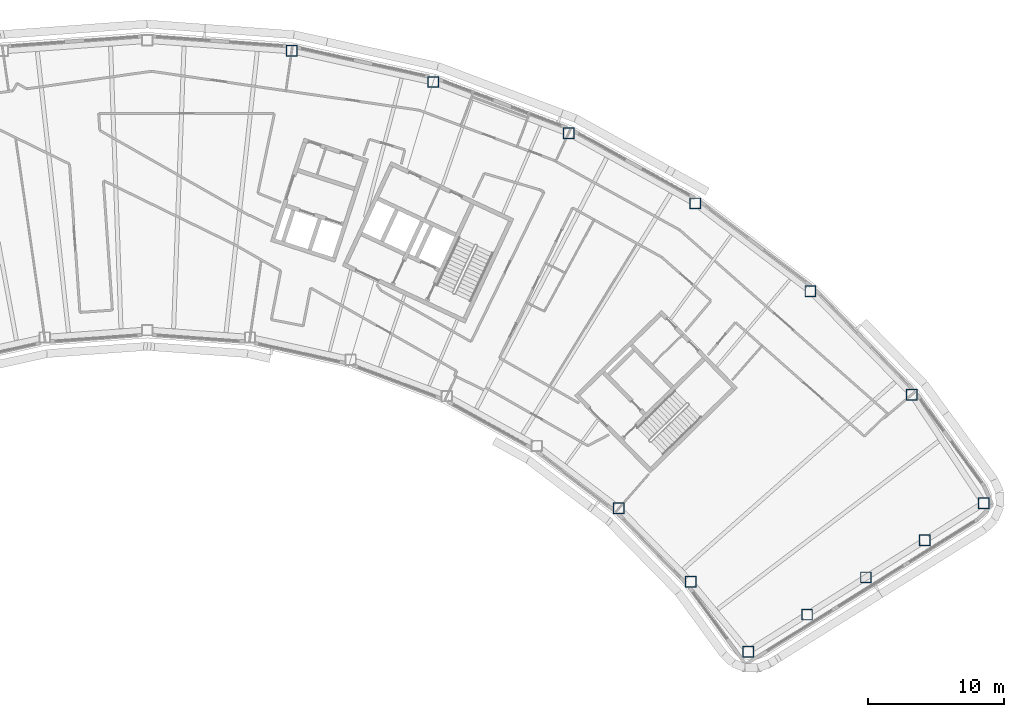
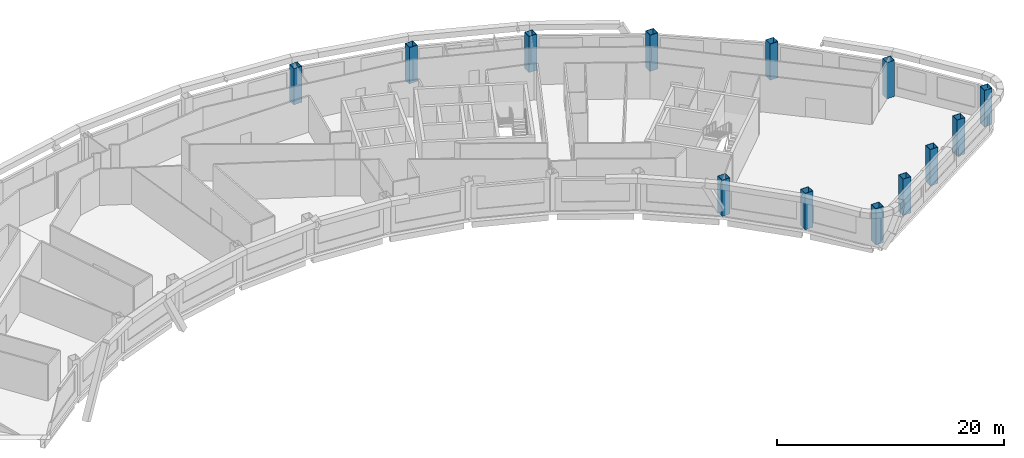
# One storey, part 2 of 16: 13 columns.
"""IFC4 building model written with IfcOpenShell, lengths in metres."""

from ifc_helpers import new_model, si_unit, direction, frame, origin, origin_2d, place, context, subcontext, project, spatial, hollow_rectangle, extrude, material, material_profile, profile_set, type_object, element, save


model = new_model("IFC4")

# Units and contexts
model_context = context("Model", 3, precision=1e-05, world=origin(), true_north=direction((0.0, 1.0)))
body_context = subcontext(model_context, "Body", "Model", "MODEL_VIEW")
ifc_project = project(units=[si_unit("LENGTHUNIT", "METRE"), si_unit("AREAUNIT", "SQUARE_METRE"), si_unit("VOLUMEUNIT", "CUBIC_METRE"), si_unit("PLANEANGLEUNIT", "RADIAN"), si_unit("MASSUNIT", "GRAM", prefix="KILO")], contexts=[model_context])

# Site, building, storey
site_placement = place(None, origin())
site = spatial("IfcSite", under=ifc_project, at=site_placement, CompositionType="ELEMENT")
building_placement = place(site_placement, origin())
building = spatial("IfcBuilding", under=site, at=building_placement, Name="Tuul Gate Civic Tower", CompositionType="ELEMENT")
storey_placement = place(building_placement, frame((0.0, 0.0, 261.0)))
storey = spatial("IfcBuildingStorey", under=building, at=storey_placement, Name="Level 59", CompositionType="ELEMENT", Elevation=261.0)

# Columns
ifc_material = material(Name="Steel S355", Category="steel")
ifc_material_profile = material_profile(ifc_material, hollow_rectangle(XDim=0.800048828125, YDim=0.800048828125, WallThickness=0.031982421875, at=origin_2d()), Name="BOX800x800x32")
ifc_profile_set = profile_set([ifc_material_profile], Name="Steel S355")
column_type = type_object("IfcColumnType", Name="STR-COLUMN-BOX800x800x32", PredefinedType="COLUMN", material=ifc_profile_set)
for number, where, z_axis, x_axis, name in (
    (1, (72.701904296875, -20.654052734375, 0.0), (0.0, 0.0, 1.0), (1.0, 0.0, 0.0), "Column"),
    (2, (67.403076171875, -12.64208984375, 0.0), (0.0, 0.0, 1.0), (1.0, 0.0, 0.0), "Column"),
    (3, (59.927978515625, -5.01708984375, 0.0), (0.0, 0.0, 1.0), (1.0, 0.0, 0.0), "Column"),
    (4, (51.43310546875, 1.451904296875, 0.0), (0.0, 0.0, 1.0), (1.0, 0.0, 0.0), "Column"),
    (5, (42.094970703125, 6.6279296875, 0.0), (0.0, 0.0, 1.0), (1.0, 0.0, 0.0), "Column"),
    (6, (32.10791015625, 10.405029296875, 0.0), (0.0, 0.0, 1.0), (1.0, 0.0, 0.0), "Column"),
    (7, (21.679931640625, 12.702880859375, 0.0), (0.0, 0.0, 1.0), (1.0, 0.0, 0.0), "Column"),
    (8, (45.798095703125, -21.029052734375, 0.0), (0.0, 0.0, 1.0), (1.0, 0.0, 0.0), "Column"),
    (9, (51.112060546875, -26.449951171875, 0.0), (0.0, 0.0, 1.0), (1.0, 0.0, 0.0), "Column"),
    (10, (55.33203125, -31.592041015625, 0.0), (0.0, 0.0, 1.0), (1.0, 0.0, 0.0), "Column"),
    (11, (59.674072265625, -28.85791015625, 0.0), (0.0, 0.0, 1.0), (1.0, 0.0, 0.0), "Column"),
    (12, (64.01708984375, -26.123046875, 0.0), (0.0, 0.0, 1.0), (1.0, 0.0, 0.0), "Column"),
    (13, (68.35888671875, -23.388916015625, 0.0), (0.0, 0.0, 1.0), (1.0, 0.0, 0.0), "Column"),
):
    element("IfcColumn", number, at=place(storey_placement, frame(where, z_axis=z_axis, x_axis=x_axis)), inside=storey, type_object=column_type, Name=name, PredefinedType="COLUMN", context=body_context, shape_type="SweptSolid", body=[
        extrude(hollow_rectangle(XDim=0.800048828125, YDim=0.800048828125, WallThickness=0.031982421875, at=origin_2d()), origin(), (0.0, 0.0, 1.0), 3.89990234375),
    ])

save(model, "model.ifc")
